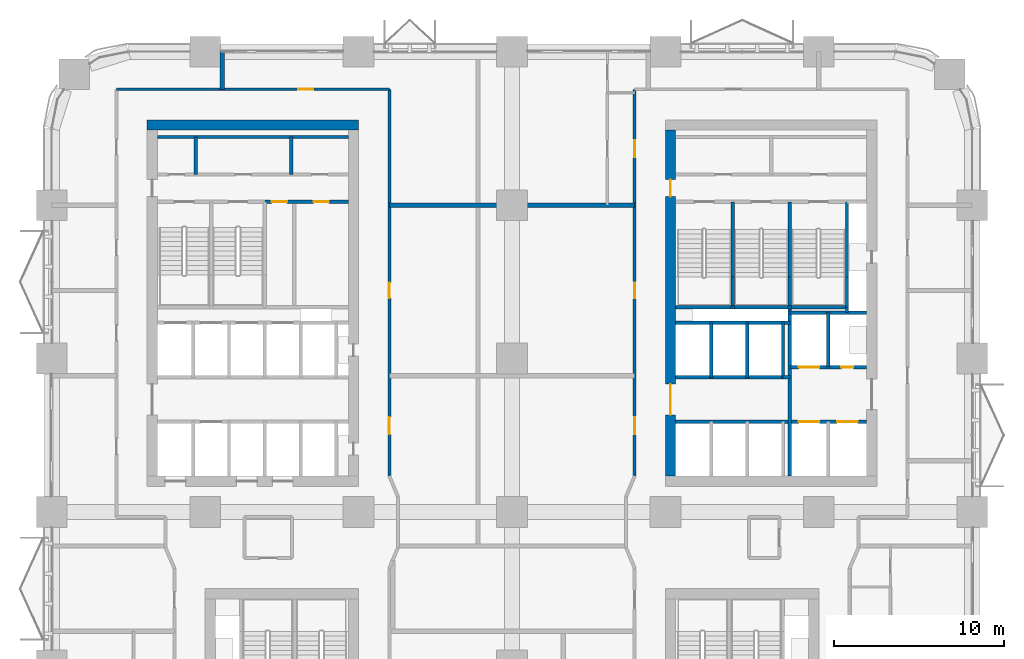
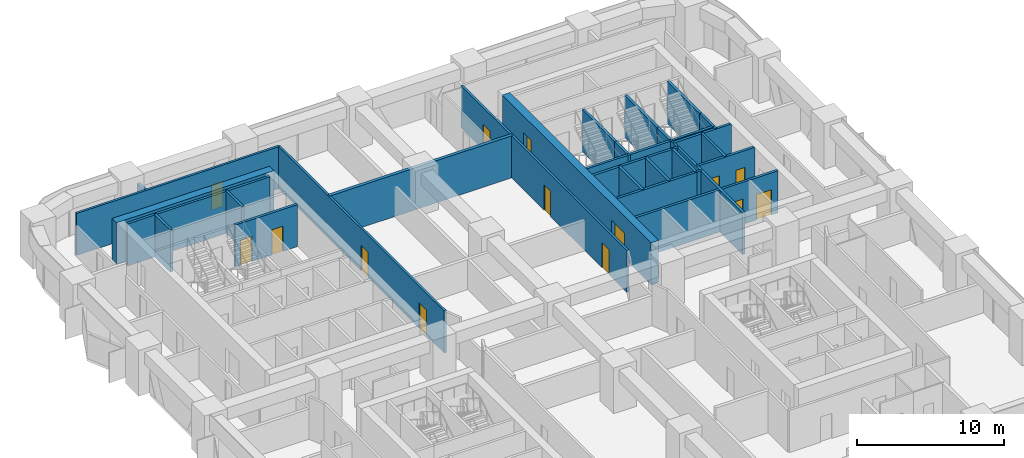
# One storey, part 16 of 21: 34 walls, 14 doors, 14 openings.
"""IFC4 building model written with IfcOpenShell, lengths in metres."""

from ifc_helpers import new_model, si_unit, direction, frame, frame_2d, origin, place, context, subcontext, project, spatial, rectangle, extrude, material, layer, layer_set, type_object, element, fill, save


model = new_model("IFC4")

# Units and contexts
model_context = context("Model", 3, precision=1e-05, world=origin(), true_north=direction((0.0, 1.0)))
body_context = subcontext(model_context, "Body", "Model", "MODEL_VIEW")
ifc_project = project(units=[si_unit("LENGTHUNIT", "METRE"), si_unit("AREAUNIT", "SQUARE_METRE"), si_unit("VOLUMEUNIT", "CUBIC_METRE"), si_unit("PLANEANGLEUNIT", "RADIAN"), si_unit("MASSUNIT", "GRAM", prefix="KILO")], contexts=[model_context])

# Site, building, storey
site_placement = place(None, origin())
site = spatial("IfcSite", under=ifc_project, at=site_placement, CompositionType="ELEMENT")
building_placement = place(site_placement, origin())
building = spatial("IfcBuilding", under=site, at=building_placement, Name="Tessera Arch", CompositionType="ELEMENT")
storey_placement = place(building_placement, frame((0.0, 0.0, 42.39990234375)))
storey = spatial("IfcBuildingStorey", under=building, at=storey_placement, Name="L08", CompositionType="ELEMENT", Elevation=42.39990234375)

# Walls
ifc_material_1 = material(Name="Gypsum board on steel stud", Category="steel")
ifc_layer_1 = layer(ifc_material_1, 0.125)
ifc_layer_set_1 = layer_set([ifc_layer_1], Name="Core partition 125 EI 60")
wall_type_1 = type_object("IfcWallType", Name="Core partition 125 EI 60", PredefinedType="PARTITIONING", material=ifc_layer_set_1)
wall_1_placement = place(storey_placement, frame((42.89990234375, 34.89990234375, 0.0), z_axis=(0.0, 0.0, 1.0), x_axis=(1.0, 0.0, 0.0)))
element("IfcWall", 1, at=wall_1_placement, inside=storey, type_object=wall_type_1, Name="L08 C1 partition wall 19", PredefinedType="PARTITIONING", context=body_context, shape_type="SweptSolid", body=[
    extrude(rectangle(XDim=0.400146484375, YDim=0.199951171875, at=frame_2d((0.2001953125, 0.0))), origin(), (0.0, 0.0, 1.0), 3.5),
])
for number, where, z_axis, x_axis, name in (
    (2, (8.43994140625, 46.800048828125, 0.0), (0.0, 0.0, 1.0), (0.0, 1.0, 0.0), "L08 C2 partition wall 3"),
    (3, (14.0400390625, 46.800048828125, 0.0), (0.0, 0.0, 1.0), (0.0, 1.0, 0.0), "L08 C2 partition wall 12"),
):
    element("IfcWall", number, at=place(storey_placement, frame(where, z_axis=z_axis, x_axis=x_axis)), inside=storey, type_object=wall_type_1, Name=name, PredefinedType="PARTITIONING", context=body_context, shape_type="SweptSolid", body=[
        extrude(rectangle(XDim=2.199951171875, YDim=0.199951171875, at=frame_2d((1.10009765625, 0.0))), origin(), (0.0, 0.0, 1.0), 3.5),
    ])

# Wall, openings, doors
wall_2_placement = place(storey_placement, frame((12.5, 45.199951171875, 0.0), z_axis=(0.0, 0.0, 1.0), x_axis=(1.0, 0.0, 0.0)))
wall_2 = element("IfcWall", 4, at=wall_2_placement, inside=storey, type_object=wall_type_1, Name="L08 C2 partition wall 25", PredefinedType="PARTITIONING", context=body_context, shape_type="SweptSolid", body=[
    extrude(rectangle(XDim=4.89990234375, YDim=0.199951171875, at=frame_2d((2.449951171875, 0.0))), origin(), (0.0, 0.0, 1.0), 3.5),
])
opening_1_placement = place(wall_2_placement, frame((0.407470703125, 0.0, 0.0)))
opening_1 = element("IfcOpeningElement", 5, at=opening_1_placement, cuts=wall_2, Name="Opening L08-C31", PredefinedType="OPENING", context=body_context, shape_type="SweptSolid", body=[
    extrude(rectangle(XDim=0.89990234375, YDim=2.10009765625, at=frame_2d((0.449951171875, 1.050048828125))), frame((0.0, 0.10986328125, 0.0), z_axis=(0.0, -1.0, 0.0), x_axis=(1.0, 0.0, 0.0)), (0.0, 0.0, 1.0), 0.219970703125),
])
opening_2_placement = place(wall_2_placement, frame((2.857421875, 0.0, 0.0)))
opening_2 = element("IfcOpeningElement", 6, at=opening_2_placement, cuts=wall_2, Name="Opening L08-C32", PredefinedType="OPENING", context=body_context, shape_type="SweptSolid", body=[
    extrude(rectangle(XDim=0.89990234375, YDim=2.10009765625, at=frame_2d((0.449951171875, 1.050048828125))), frame((0.0, 0.10986328125, 0.0), z_axis=(0.0, -1.0, 0.0), x_axis=(1.0, 0.0, 0.0)), (0.0, 0.0, 1.0), 0.219970703125),
])
ifc_material_2 = material(Name="Steel door leaf", Category="steel")
door_type_1 = type_object("IfcDoorType", Name="Store door FD30S 900 x 2100", OperationType="SINGLE_SWING_LEFT", PredefinedType="DOOR", material=ifc_material_2)
door_1_placement = place(opening_1_placement, origin())
door_1 = element("IfcDoor", 7, at=door_1_placement, inside=storey, type_object=door_type_1, Name="L08 C2 door 18 C31 type D09", OperationType="SINGLE_SWING_LEFT", OverallHeight=2.10009765625, OverallWidth=0.89990234375, PredefinedType="DOOR", context=body_context, shape_type="SweptSolid", body=[
    extrude(rectangle(XDim=0.89990234375, YDim=2.10009765625, at=frame_2d((0.449951171875, 1.050048828125))), frame((0.0, 0.02490234375, 0.0), z_axis=(0.0, -1.0, 0.0), x_axis=(1.0, 0.0, 0.0)), (0.0, 0.0, 1.0), 0.050048828125),
])
fill(opening_1, door_1)
door_2_placement = place(opening_2_placement, origin())
door_2 = element("IfcDoor", 8, at=door_2_placement, inside=storey, type_object=door_type_1, Name="L08 C2 door 19 C32 type D09", OperationType="SINGLE_SWING_RIGHT", OverallHeight=2.10009765625, OverallWidth=0.89990234375, PredefinedType="DOOR", context=body_context, shape_type="SweptSolid", body=[
    extrude(rectangle(XDim=0.89990234375, YDim=2.10009765625, at=frame_2d((0.449951171875, 1.050048828125))), frame((0.0, 0.02490234375, 0.0), z_axis=(0.0, -1.0, 0.0), x_axis=(1.0, 0.0, 0.0)), (0.0, 0.0, 1.0), 0.050048828125),
])
fill(opening_2, door_2)

# Wall
wall_3_placement = place(storey_placement, frame((6.199951171875, 49.0, 0.0), z_axis=(0.0, 0.0, 1.0), x_axis=(1.0, 0.0, 0.0)))
element("IfcWall", 9, at=wall_3_placement, inside=storey, type_object=wall_type_1, Name="L08 C2 partition wall 28", PredefinedType="PARTITIONING", context=body_context, shape_type="SweptSolid", body=[
    extrude(rectangle(XDim=11.199951171875, YDim=0.199951171875, at=frame_2d((5.60009765625, 0.0))), origin(), (0.0, 0.0, 1.0), 3.5),
])

# Wall, openings, doors
ifc_material_3 = material(Name="Concrete C70/85", Category="concrete")
ifc_layer_2 = layer(ifc_material_3, 0.60009765625)
ifc_layer_set_2 = layer_set([ifc_layer_2], Name="Core shell wall 600 C70-85")
wall_type_2 = type_object("IfcWallType", Name="Core shell wall 600 C70-85", PredefinedType="SHEAR", material=ifc_layer_set_2)
wall_4_placement = place(storey_placement, frame((36.300048828125, 29.10009765625, 0.0), z_axis=(0.0, 0.0, 1.0), x_axis=(0.0, 1.0, 0.0)))
wall_4 = element("IfcWall", 10, at=wall_4_placement, inside=storey, type_object=wall_type_2, Name="L08 C1 core wall W", PredefinedType="SHEAR", context=body_context, shape_type="SweptSolid", body=[
    extrude(rectangle(XDim=20.2998046875, YDim=0.60009765625, at=frame_2d((10.14990234375, 0.0))), origin(), (0.0, 0.0, 1.0), 3.5),
])
opening_3_placement = place(wall_4_placement, frame((3.60009765625, 0.0, 0.0)))
opening_3 = element("IfcOpeningElement", 11, at=opening_3_placement, cuts=wall_4, Name="Opening L08-C04", PredefinedType="OPENING", context=body_context, shape_type="SweptSolid", body=[
    extrude(rectangle(XDim=1.800048828125, YDim=2.10009765625, at=frame_2d((0.89990234375, 1.050048828125))), frame((0.0, 0.31005859375, 0.0), z_axis=(0.0, -1.0, 0.0), x_axis=(1.0, 0.0, 0.0)), (0.0, 0.0, 1.0), 0.6201171875),
])
opening_4_placement = place(wall_4_placement, frame((16.39990234375, 0.0, 0.0)))
opening_4 = element("IfcOpeningElement", 12, at=opening_4_placement, cuts=wall_4, Name="Opening L08-C11", PredefinedType="OPENING", context=body_context, shape_type="SweptSolid", body=[
    extrude(rectangle(XDim=1.0, YDim=2.10009765625, at=frame_2d((0.5, 1.050048828125))), frame((0.0, 0.31005859375, 0.0), z_axis=(0.0, -1.0, 0.0), x_axis=(1.0, 0.0, 0.0)), (0.0, 0.0, 1.0), 0.6201171875),
])
ifc_material_4 = material(Name="Steel door leaf", Category="steel")
door_type_2 = type_object("IfcDoorType", Name="Corridor door FD60 1000 x 2100", OperationType="SINGLE_SWING_LEFT", PredefinedType="DOOR", material=ifc_material_4)
door_3_placement = place(opening_4_placement, origin())
door_3 = element("IfcDoor", 13, at=door_3_placement, inside=storey, type_object=door_type_2, Name="L08 C1 door 11 C11 type D12", OperationType="SINGLE_SWING_RIGHT", OverallHeight=2.10009765625, OverallWidth=1.0, PredefinedType="DOOR", context=body_context, shape_type="SweptSolid", body=[
    extrude(rectangle(XDim=1.0, YDim=2.10009765625, at=frame_2d((0.5, 1.050048828125))), frame((0.0, 0.02490234375, 0.0), z_axis=(0.0, -1.0, 0.0), x_axis=(1.0, 0.0, 0.0)), (0.0, 0.0, 1.0), 0.050048828125),
])
fill(opening_4, door_3)
ifc_material_5 = material(Name="Glazed steel door leaf", Category="steel")
door_type_3 = type_object("IfcDoorType", Name="Lobby double door FD30S 1800 x 2100", OperationType="DOUBLE_DOOR_SINGLE_SWING", PredefinedType="DOOR", material=ifc_material_5)
door_4_placement = place(opening_3_placement, origin())
door_4 = element("IfcDoor", 14, at=door_4_placement, inside=storey, type_object=door_type_3, Name="L08 C1 door 4 C04 type D06", OperationType="DOUBLE_DOOR_SINGLE_SWING", OverallHeight=2.10009765625, OverallWidth=1.800048828125, PredefinedType="DOOR", context=body_context, shape_type="SweptSolid", body=[
    extrude(rectangle(XDim=1.800048828125, YDim=2.10009765625, at=frame_2d((0.89990234375, 1.050048828125))), frame((0.0, 0.02490234375, 0.0), z_axis=(0.0, -1.0, 0.0), x_axis=(1.0, 0.0, 0.0)), (0.0, 0.0, 1.0), 0.050048828125),
])
fill(opening_3, door_4)

# Wall
wall_5_placement = place(storey_placement, frame((5.60009765625, 49.699951171875, 0.0), z_axis=(0.0, 0.0, 1.0), x_axis=(1.0, 0.0, 0.0)))
element("IfcWall", 15, at=wall_5_placement, inside=storey, type_object=wall_type_2, Name="L08 C2 core wall N", PredefinedType="SHEAR", context=body_context, shape_type="SweptSolid", body=[
    extrude(rectangle(XDim=12.39990234375, YDim=0.60009765625, at=frame_2d((6.199951171875, 0.0))), origin(), (0.0, 0.0, 1.0), 3.5),
])

# Wall, opening, door
ifc_material_6 = material(Name="Gypsum board on deep steel stud with mineral wool", Category="steel")
ifc_layer_3 = layer(ifc_material_6, 0.175048828125)
ifc_layer_set_3 = layer_set([ifc_layer_3], Name="Corridor wall 175 EI 60")
wall_type_3 = type_object("IfcWallType", Name="Corridor wall 175 EI 60", PredefinedType="PARTITIONING", material=ifc_layer_set_3)
wall_6_placement = place(storey_placement, frame((3.800048828125, 51.800048828125, 0.0), z_axis=(0.0, 0.0, 1.0), x_axis=(1.0, 0.0, 0.0)))
wall_6 = element("IfcWall", 16, at=wall_6_placement, inside=storey, type_object=wall_type_3, Name="L08 partition 9", PredefinedType="PARTITIONING", context=body_context, shape_type="SweptSolid", body=[
    extrude(rectangle(XDim=16.0, YDim=0.175048828125, at=frame_2d((8.0, 0.0))), origin(), (0.0, 0.0, 1.0), 3.5),
])
opening_5_placement = place(wall_6_placement, frame((10.64990234375, 0.0, 0.0)))
opening_5 = element("IfcOpeningElement", 17, at=opening_5_placement, cuts=wall_6, Name="Opening L08-D037", PredefinedType="OPENING", context=body_context, shape_type="SweptSolid", body=[
    extrude(rectangle(XDim=0.89990234375, YDim=2.10009765625, at=frame_2d((0.449951171875, 1.050048828125))), frame((0.0, 0.097412109375, 0.0), z_axis=(0.0, -1.0, 0.0), x_axis=(1.0, 0.0, 0.0)), (0.0, 0.0, 1.0), 0.195068359375),
])
ifc_material_7 = material(Name="Timber door leaf", Category="wood")
door_type_4 = type_object("IfcDoorType", Name="Room door 900 x 2100", OperationType="SINGLE_SWING_LEFT", PredefinedType="DOOR", material=ifc_material_7)
door_5_placement = place(opening_5_placement, origin())
door_5 = element("IfcDoor", 18, at=door_5_placement, inside=storey, type_object=door_type_4, Name="L08 door D037 type D01", OperationType="SINGLE_SWING_LEFT", OverallHeight=2.10009765625, OverallWidth=0.89990234375, PredefinedType="DOOR", context=body_context, shape_type="SweptSolid", body=[
    extrude(rectangle(XDim=0.89990234375, YDim=2.10009765625, at=frame_2d((0.449951171875, 1.050048828125))), frame((0.0, 0.02490234375, 0.0), z_axis=(0.0, -1.0, 0.0), x_axis=(1.0, 0.0, 0.0)), (0.0, 0.0, 1.0), 0.050048828125),
])
fill(opening_5, door_5)

# Wall, openings, doors
wall_7_placement = place(storey_placement, frame((19.800048828125, 29.1201171875, 0.0), z_axis=(0.0, 0.0, 1.0), x_axis=(0.0, 1.0, 0.0)))
wall_7 = element("IfcWall", 19, at=wall_7_placement, inside=storey, type_object=wall_type_3, Name="L08 partition 17", PredefinedType="PARTITIONING", context=body_context, shape_type="SweptSolid", body=[
    extrude(rectangle(XDim=22.679931640625, YDim=0.175048828125, at=frame_2d((11.33984375, 0.0))), origin(), (0.0, 0.0, 1.0), 3.5),
])
opening_6_placement = place(wall_7_placement, frame((2.43994140625, 0.0, 0.0)))
opening_6 = element("IfcOpeningElement", 20, at=opening_6_placement, cuts=wall_7, Name="Opening L08-D024", PredefinedType="OPENING", context=body_context, shape_type="SweptSolid", body=[
    extrude(rectangle(XDim=1.0, YDim=2.10009765625, at=frame_2d((0.5, 1.050048828125))), frame((0.0, 0.097412109375, 0.0), z_axis=(0.0, -1.0, 0.0), x_axis=(1.0, 0.0, 0.0)), (0.0, 0.0, 1.0), 0.195068359375),
])
opening_7_placement = place(wall_7_placement, frame((10.429931640625, 0.0, 0.0)))
opening_7 = element("IfcOpeningElement", 21, at=opening_7_placement, cuts=wall_7, Name="Opening L08-D028", PredefinedType="OPENING", context=body_context, shape_type="SweptSolid", body=[
    extrude(rectangle(XDim=0.89990234375, YDim=2.10009765625, at=frame_2d((0.449951171875, 1.050048828125))), frame((0.0, 0.097412109375, 0.0), z_axis=(0.0, -1.0, 0.0), x_axis=(1.0, 0.0, 0.0)), (0.0, 0.0, 1.0), 0.195068359375),
])
ifc_material_8 = material(Name="Fire-rated door leaf")
door_type_5 = type_object("IfcDoorType", Name="Entrance door FD30S 1000 x 2100", OperationType="SINGLE_SWING_LEFT", PredefinedType="DOOR", material=ifc_material_8)
door_6_placement = place(opening_6_placement, origin())
door_6 = element("IfcDoor", 22, at=door_6_placement, inside=storey, type_object=door_type_5, Name="L08 door D024 type D03", OperationType="SINGLE_SWING_LEFT", OverallHeight=2.10009765625, OverallWidth=1.0, PredefinedType="DOOR", context=body_context, shape_type="SweptSolid", body=[
    extrude(rectangle(XDim=1.0, YDim=2.10009765625, at=frame_2d((0.5, 1.050048828125))), frame((0.0, 0.02490234375, 0.0), z_axis=(0.0, -1.0, 0.0), x_axis=(1.0, 0.0, 0.0)), (0.0, 0.0, 1.0), 0.050048828125),
])
fill(opening_6, door_6)
door_7_placement = place(opening_7_placement, origin())
door_7 = element("IfcDoor", 23, at=door_7_placement, inside=storey, type_object=door_type_4, Name="L08 door D028 type D01", OperationType="SINGLE_SWING_LEFT", OverallHeight=2.10009765625, OverallWidth=0.89990234375, PredefinedType="DOOR", context=body_context, shape_type="SweptSolid", body=[
    extrude(rectangle(XDim=0.89990234375, YDim=2.10009765625, at=frame_2d((0.449951171875, 1.050048828125))), frame((0.0, 0.02490234375, 0.0), z_axis=(0.0, -1.0, 0.0), x_axis=(1.0, 0.0, 0.0)), (0.0, 0.0, 1.0), 0.050048828125),
])
fill(opening_7, door_7)

wall_8_placement = place(storey_placement, frame((34.199951171875, 29.1201171875, 0.0), z_axis=(0.0, 0.0, 1.0), x_axis=(0.0, 1.0, 0.0)))
wall_8 = element("IfcWall", 24, at=wall_8_placement, inside=storey, type_object=wall_type_3, Name="L08 partition 21", PredefinedType="PARTITIONING", context=body_context, shape_type="SweptSolid", body=[
    extrude(rectangle(XDim=22.679931640625, YDim=0.175048828125, at=frame_2d((11.33984375, 0.0))), origin(), (0.0, 0.0, 1.0), 3.5),
])
opening_8_placement = place(wall_8_placement, frame((2.43994140625, 0.0, 0.0)))
opening_8 = element("IfcOpeningElement", 25, at=opening_8_placement, cuts=wall_8, Name="Opening L08-D025", PredefinedType="OPENING", context=body_context, shape_type="SweptSolid", body=[
    extrude(rectangle(XDim=1.0, YDim=2.10009765625, at=frame_2d((0.5, 1.050048828125))), frame((0.0, 0.097412109375, 0.0), z_axis=(0.0, -1.0, 0.0), x_axis=(1.0, 0.0, 0.0)), (0.0, 0.0, 1.0), 0.195068359375),
])
opening_9_placement = place(wall_8_placement, frame((10.429931640625, 0.0, 0.0)))
opening_9 = element("IfcOpeningElement", 26, at=opening_9_placement, cuts=wall_8, Name="Opening L08-D029", PredefinedType="OPENING", context=body_context, shape_type="SweptSolid", body=[
    extrude(rectangle(XDim=0.89990234375, YDim=2.10009765625, at=frame_2d((0.449951171875, 1.050048828125))), frame((0.0, 0.097412109375, 0.0), z_axis=(0.0, -1.0, 0.0), x_axis=(1.0, 0.0, 0.0)), (0.0, 0.0, 1.0), 0.195068359375),
])
opening_10_placement = place(wall_8_placement, frame((18.679931640625, 0.0, 0.0)))
opening_10 = element("IfcOpeningElement", 27, at=opening_10_placement, cuts=wall_8, Name="Opening L08-D032", PredefinedType="OPENING", context=body_context, shape_type="SweptSolid", body=[
    extrude(rectangle(XDim=1.0, YDim=2.10009765625, at=frame_2d((0.5, 1.050048828125))), frame((0.0, 0.097412109375, 0.0), z_axis=(0.0, -1.0, 0.0), x_axis=(1.0, 0.0, 0.0)), (0.0, 0.0, 1.0), 0.195068359375),
])
door_8_placement = place(opening_8_placement, origin())
door_8 = element("IfcDoor", 28, at=door_8_placement, inside=storey, type_object=door_type_5, Name="L08 door D025 type D03", OperationType="SINGLE_SWING_LEFT", OverallHeight=2.10009765625, OverallWidth=1.0, PredefinedType="DOOR", context=body_context, shape_type="SweptSolid", body=[
    extrude(rectangle(XDim=1.0, YDim=2.10009765625, at=frame_2d((0.5, 1.050048828125))), frame((0.0, 0.02490234375, 0.0), z_axis=(0.0, -1.0, 0.0), x_axis=(1.0, 0.0, 0.0)), (0.0, 0.0, 1.0), 0.050048828125),
])
fill(opening_8, door_8)
door_9_placement = place(opening_10_placement, origin())
door_9 = element("IfcDoor", 29, at=door_9_placement, inside=storey, type_object=door_type_5, Name="L08 door D032 type D03", OperationType="SINGLE_SWING_RIGHT", OverallHeight=2.10009765625, OverallWidth=1.0, PredefinedType="DOOR", context=body_context, shape_type="SweptSolid", body=[
    extrude(rectangle(XDim=1.0, YDim=2.10009765625, at=frame_2d((0.5, 1.050048828125))), frame((0.0, 0.02490234375, 0.0), z_axis=(0.0, -1.0, 0.0), x_axis=(1.0, 0.0, 0.0)), (0.0, 0.0, 1.0), 0.050048828125),
])
fill(opening_10, door_9)
door_10_placement = place(opening_9_placement, origin())
door_10 = element("IfcDoor", 30, at=door_10_placement, inside=storey, type_object=door_type_4, Name="L08 door D029 type D01", OperationType="SINGLE_SWING_LEFT", OverallHeight=2.10009765625, OverallWidth=0.89990234375, PredefinedType="DOOR", context=body_context, shape_type="SweptSolid", body=[
    extrude(rectangle(XDim=0.89990234375, YDim=2.10009765625, at=frame_2d((0.449951171875, 1.050048828125))), frame((0.0, 0.02490234375, 0.0), z_axis=(0.0, -1.0, 0.0), x_axis=(1.0, 0.0, 0.0)), (0.0, 0.0, 1.0), 0.050048828125),
])
fill(opening_9, door_10)

# Walls
ifc_material_9 = material(Name="Double gypsum board on twin steel stud with acoustic mineral wool", Category="steel")
ifc_layer_4 = layer(ifc_material_9, 0.25)
ifc_layer_set_4 = layer_set([ifc_layer_4], Name="Party wall 250 EI 60")
wall_type_4 = type_object("IfcWallType", Name="Party wall 250 EI 60", PredefinedType="PARTITIONING", material=ifc_layer_set_4)
wall_9_placement = place(storey_placement, frame((19.800048828125, 45.0, 0.0), z_axis=(0.0, 0.0, 1.0), x_axis=(1.0, 0.0, 0.0)))
element("IfcWall", 31, at=wall_9_placement, inside=storey, type_object=wall_type_4, Name="L08 partition 46", PredefinedType="PARTITIONING", context=body_context, shape_type="SweptSolid", body=[
    extrude(rectangle(XDim=14.39990234375, YDim=0.25, at=frame_2d((7.199951171875, 0.0))), origin(), (0.0, 0.0, 1.0), 3.5),
])
wall_10_placement = place(storey_placement, frame((10.0, 51.800048828125, 0.0), z_axis=(0.0, 0.0, 1.0), x_axis=(0.0, 1.0, 0.0)))
element("IfcWall", 32, at=wall_10_placement, inside=storey, type_object=wall_type_4, Name="L08 partition 49", PredefinedType="PARTITIONING", context=body_context, shape_type="SweptSolid", body=[
    extrude(rectangle(XDim=2.199951171875, YDim=0.25, at=frame_2d((1.10009765625, 0.0))), origin(), (0.0, 0.0, 1.0), 2.5),
])
ifc_material_10 = material(Name="Concrete C40/50", Category="concrete")
ifc_layer_5 = layer(ifc_material_10, 0.199951171875)
ifc_layer_set_5 = layer_set([ifc_layer_5], Name="Shaft wall 200 EI 120")
wall_type_5 = type_object("IfcWallType", Name="Shaft wall 200 EI 120", PredefinedType="SOLIDWALL", material=ifc_layer_set_5)
for number, where, z_axis, x_axis, name in (
    (33, (38.699951171875, 34.89990234375, 0.0), (0.0, 0.0, 1.0), (0.0, 1.0, 0.0), "L08 C1 shaft wall 2"),
    (34, (40.800048828125, 34.89990234375, 0.0), (0.0, 0.0, 1.0), (0.0, 1.0, 0.0), "L08 C1 shaft wall 6"),
    (35, (42.89990234375, 34.89990234375, 0.0), (0.0, 0.0, 1.0), (0.0, 1.0, 0.0), "L08 C1 shaft wall 9"),
):
    element("IfcWall", number, at=place(storey_placement, frame(where, z_axis=z_axis, x_axis=x_axis)), inside=storey, type_object=wall_type_5, Name=name, PredefinedType="SOLIDWALL", context=body_context, shape_type="SweptSolid", body=[
        extrude(rectangle(XDim=3.2001953125, YDim=0.199951171875, at=frame_2d((1.60009765625, 0.0))), origin(), (0.0, 0.0, 1.0), 3.5),
    ])
wall_11_placement = place(storey_placement, frame((43.300048828125, 29.10009765625, 0.0), z_axis=(0.0, 0.0, 1.0), x_axis=(0.0, 1.0, 0.0)))
element("IfcWall", 36, at=wall_11_placement, inside=storey, type_object=wall_type_5, Name="L08 C1 shaft wall 10", PredefinedType="SOLIDWALL", context=body_context, shape_type="SweptSolid", body=[
    extrude(rectangle(XDim=9.89990234375, YDim=0.199951171875, at=frame_2d((4.949951171875, 0.0))), origin(), (0.0, 0.0, 1.0), 3.5),
])
wall_12_placement = place(storey_placement, frame((45.550048828125, 35.5, 0.0), z_axis=(0.0, 0.0, 1.0), x_axis=(0.0, 1.0, 0.0)))
element("IfcWall", 37, at=wall_12_placement, inside=storey, type_object=wall_type_5, Name="L08 C1 shaft wall 14", PredefinedType="SOLIDWALL", context=body_context, shape_type="SweptSolid", body=[
    extrude(rectangle(XDim=3.199951171875, YDim=0.199951171875, at=frame_2d((1.60009765625, 0.0))), origin(), (0.0, 0.0, 1.0), 3.5),
])
wall_13_placement = place(storey_placement, frame((46.64990234375, 38.699951171875, 0.0), z_axis=(0.0, 0.0, 1.0), x_axis=(0.0, 1.0, 0.0)))
element("IfcWall", 38, at=wall_13_placement, inside=storey, type_object=wall_type_5, Name="L08 C1 shaft wall 15", PredefinedType="SOLIDWALL", context=body_context, shape_type="SweptSolid", body=[
    extrude(rectangle(XDim=0.300048828125, YDim=0.199951171875, at=frame_2d((0.14990234375, 0.0))), origin(), (0.0, 0.0, 1.0), 3.5),
])

# Wall, openings, doors
wall_14_placement = place(storey_placement, frame((36.60009765625, 32.300048828125, 0.0), z_axis=(0.0, 0.0, 1.0), x_axis=(1.0, 0.0, 0.0)))
wall_14 = element("IfcWall", 39, at=wall_14_placement, inside=storey, type_object=wall_type_5, Name="L08 C1 shaft wall 18", PredefinedType="SOLIDWALL", context=body_context, shape_type="SweptSolid", body=[
    extrude(rectangle(XDim=11.199951171875, YDim=0.199951171875, at=frame_2d((5.60009765625, 0.0))), origin(), (0.0, 0.0, 1.0), 3.5),
])
opening_11_placement = place(wall_14_placement, frame((7.22509765625, 0.0, 0.0)))
opening_11 = element("IfcOpeningElement", 40, at=opening_11_placement, cuts=wall_14, Name="Opening L08-C01", PredefinedType="OPENING", context=body_context, shape_type="SweptSolid", body=[
    extrude(rectangle(XDim=1.199951171875, YDim=2.10009765625, at=frame_2d((0.60009765625, 1.050048828125))), frame((0.0, 0.10986328125, 0.0), z_axis=(0.0, -1.0, 0.0), x_axis=(1.0, 0.0, 0.0)), (0.0, 0.0, 1.0), 0.219970703125),
])
opening_12_placement = place(wall_14_placement, frame((9.47509765625, 0.0, 0.0)))
opening_12 = element("IfcOpeningElement", 41, at=opening_12_placement, cuts=wall_14, Name="Opening L08-C02", PredefinedType="OPENING", context=body_context, shape_type="SweptSolid", body=[
    extrude(rectangle(XDim=1.199951171875, YDim=2.10009765625, at=frame_2d((0.60009765625, 1.050048828125))), frame((0.0, 0.10986328125, 0.0), z_axis=(0.0, -1.0, 0.0), x_axis=(1.0, 0.0, 0.0)), (0.0, 0.0, 1.0), 0.219970703125),
])
ifc_material_11 = material(Name="Stainless steel AISI 304", Category="steel")
door_type_6 = type_object("IfcDoorType", Name="Sliding landing door 1200 x 2100", OperationType="SLIDING_TO_LEFT", PredefinedType="DOOR", material=ifc_material_11)
door_11_placement = place(opening_11_placement, origin())
door_11 = element("IfcDoor", 42, at=door_11_placement, inside=storey, type_object=door_type_6, Name="L08 FF1 lift landing door C01 type LD", OperationType="SLIDING_TO_LEFT", OverallHeight=2.10009765625, OverallWidth=1.199951171875, PredefinedType="DOOR", context=body_context, shape_type="SweptSolid", body=[
    extrude(rectangle(XDim=1.199951171875, YDim=2.10009765625, at=frame_2d((0.60009765625, 1.050048828125))), frame((0.0, 0.02490234375, 0.0), z_axis=(0.0, -1.0, 0.0), x_axis=(1.0, 0.0, 0.0)), (0.0, 0.0, 1.0), 0.050048828125),
])
fill(opening_11, door_11)
door_12_placement = place(opening_12_placement, origin())
door_12 = element("IfcDoor", 43, at=door_12_placement, inside=storey, type_object=door_type_6, Name="L08 FF2 lift landing door C02 type LD", OperationType="SLIDING_TO_LEFT", OverallHeight=2.10009765625, OverallWidth=1.199951171875, PredefinedType="DOOR", context=body_context, shape_type="SweptSolid", body=[
    extrude(rectangle(XDim=1.199951171875, YDim=2.10009765625, at=frame_2d((0.60009765625, 1.050048828125))), frame((0.0, 0.02490234375, 0.0), z_axis=(0.0, -1.0, 0.0), x_axis=(1.0, 0.0, 0.0)), (0.0, 0.0, 1.0), 0.050048828125),
])
fill(opening_12, door_12)

# Wall
wall_15_placement = place(storey_placement, frame((36.60009765625, 34.89990234375, 0.0), z_axis=(0.0, 0.0, 1.0), x_axis=(1.0, 0.0, 0.0)))
element("IfcWall", 44, at=wall_15_placement, inside=storey, type_object=wall_type_5, Name="L08 C1 shaft wall 20", PredefinedType="SOLIDWALL", context=body_context, shape_type="SweptSolid", body=[
    extrude(rectangle(XDim=6.2998046875, YDim=0.199951171875, at=frame_2d((3.14990234375, 0.0))), origin(), (0.0, 0.0, 1.0), 3.5),
])

# Wall, openings, doors
wall_16_placement = place(storey_placement, frame((43.300048828125, 35.5, 0.0), z_axis=(0.0, 0.0, 1.0), x_axis=(1.0, 0.0, 0.0)))
wall_16 = element("IfcWall", 45, at=wall_16_placement, inside=storey, type_object=wall_type_5, Name="L08 C1 shaft wall 21", PredefinedType="SOLIDWALL", context=body_context, shape_type="SweptSolid", body=[
    extrude(rectangle(XDim=4.5, YDim=0.199951171875, at=frame_2d((2.25, 0.0))), origin(), (0.0, 0.0, 1.0), 3.5),
])
opening_13_placement = place(wall_16_placement, frame((0.52490234375, 0.0, 0.0)))
opening_13 = element("IfcOpeningElement", 46, at=opening_13_placement, cuts=wall_16, Name="Opening L08-C03", PredefinedType="OPENING", context=body_context, shape_type="SweptSolid", body=[
    extrude(rectangle(XDim=1.199951171875, YDim=2.10009765625, at=frame_2d((0.60009765625, 1.050048828125))), frame((0.0, 0.10986328125, 0.0), z_axis=(0.0, -1.0, 0.0), x_axis=(1.0, 0.0, 0.0)), (0.0, 0.0, 1.0), 0.219970703125),
])
opening_14_placement = place(wall_16_placement, frame((3.02490234375, 0.0, 0.0)))
opening_14 = element("IfcOpeningElement", 47, at=opening_14_placement, cuts=wall_16, Name="Opening L08-C10", PredefinedType="OPENING", context=body_context, shape_type="SweptSolid", body=[
    extrude(rectangle(XDim=0.699951171875, YDim=2.10009765625, at=frame_2d((0.35009765625, 1.050048828125))), frame((0.0, 0.10986328125, 0.0), z_axis=(0.0, -1.0, 0.0), x_axis=(1.0, 0.0, 0.0)), (0.0, 0.0, 1.0), 0.219970703125),
])
ifc_material_12 = material(Name="Steel door leaf", Category="steel")
door_type_7 = type_object("IfcDoorType", Name="Service shaft door FD60 700 x 2100", OperationType="SINGLE_SWING_LEFT", PredefinedType="DOOR", material=ifc_material_12)
door_13_placement = place(opening_14_placement, origin())
door_13 = element("IfcDoor", 48, at=door_13_placement, inside=storey, type_object=door_type_7, Name="L08 C1 door 10 C10 type D07", OperationType="SINGLE_SWING_RIGHT", OverallHeight=2.10009765625, OverallWidth=0.699951171875, PredefinedType="DOOR", context=body_context, shape_type="SweptSolid", body=[
    extrude(rectangle(XDim=0.699951171875, YDim=2.10009765625, at=frame_2d((0.35009765625, 1.050048828125))), frame((0.0, 0.02490234375, 0.0), z_axis=(0.0, -1.0, 0.0), x_axis=(1.0, 0.0, 0.0)), (0.0, 0.0, 1.0), 0.050048828125),
])
fill(opening_14, door_13)
door_14_placement = place(opening_13_placement, origin())
door_14 = element("IfcDoor", 49, at=door_14_placement, inside=storey, type_object=door_type_6, Name="L08 SV2 lift landing door C03 type LD", OperationType="SLIDING_TO_LEFT", OverallHeight=2.10009765625, OverallWidth=1.199951171875, PredefinedType="DOOR", context=body_context, shape_type="SweptSolid", body=[
    extrude(rectangle(XDim=1.199951171875, YDim=2.10009765625, at=frame_2d((0.60009765625, 1.050048828125))), frame((0.0, 0.02490234375, 0.0), z_axis=(0.0, -1.0, 0.0), x_axis=(1.0, 0.0, 0.0)), (0.0, 0.0, 1.0), 0.050048828125),
])
fill(opening_13, door_14)

# Walls
wall_17_placement = place(storey_placement, frame((36.60009765625, 38.10009765625, 0.0), z_axis=(0.0, 0.0, 1.0), x_axis=(1.0, 0.0, 0.0)))
element("IfcWall", 50, at=wall_17_placement, inside=storey, type_object=wall_type_5, Name="L08 C1 shaft wall 22", PredefinedType="SOLIDWALL", context=body_context, shape_type="SweptSolid", body=[
    extrude(rectangle(XDim=6.699951171875, YDim=0.199951171875, at=frame_2d((3.35009765625, 0.0))), origin(), (0.0, 0.0, 1.0), 3.5),
])
wall_18_placement = place(storey_placement, frame((43.300048828125, 38.699951171875, 0.0), z_axis=(0.0, 0.0, 1.0), x_axis=(1.0, 0.0, 0.0)))
element("IfcWall", 51, at=wall_18_placement, inside=storey, type_object=wall_type_5, Name="L08 C1 shaft wall 23", PredefinedType="SOLIDWALL", context=body_context, shape_type="SweptSolid", body=[
    extrude(rectangle(XDim=4.5, YDim=0.199951171875, at=frame_2d((2.25, 0.0))), origin(), (0.0, 0.0, 1.0), 3.5),
])
ifc_material_13 = material(Name="Concrete C40/50", Category="concrete")
ifc_layer_6 = layer(ifc_material_13, 0.199951171875)
ifc_layer_set_6 = layer_set([ifc_layer_6], Name="Stair well wall 200 REI 180")
wall_type_6 = type_object("IfcWallType", Name="Stair well wall 200 REI 180", PredefinedType="SOLIDWALL", material=ifc_layer_set_6)
wall_19_placement = place(storey_placement, frame((39.949951171875, 39.0, 0.0), z_axis=(0.0, 0.0, 1.0), x_axis=(0.0, 1.0, 0.0)))
element("IfcWall", 52, at=wall_19_placement, inside=storey, type_object=wall_type_6, Name="L08 C1 shaft wall 3", PredefinedType="SOLIDWALL", context=body_context, shape_type="SweptSolid", body=[
    extrude(rectangle(XDim=1.780029296875, YDim=0.199951171875, at=frame_2d((0.89013671875, 0.0))), origin(), (0.0, 0.0, 1.0), 3.5),
])
wall_20_placement = place(storey_placement, frame((39.949951171875, 40.780029296875, 0.0), z_axis=(0.0, 0.0, 1.0), x_axis=(0.0, 1.0, 0.0)))
element("IfcWall", 53, at=wall_20_placement, inside=storey, type_object=wall_type_6, Name="L08 C1 shaft wall 4", PredefinedType="SOLIDWALL", context=body_context, shape_type="SweptSolid", body=[
    extrude(rectangle(XDim=4.419921875, YDim=0.199951171875, at=frame_2d((2.2099609375, 0.0))), origin(), (0.0, 0.0, 1.0), 3.5),
])
wall_21_placement = place(storey_placement, frame((43.300048828125, 39.0, 0.0), z_axis=(0.0, 0.0, 1.0), x_axis=(0.0, 1.0, 0.0)))
element("IfcWall", 54, at=wall_21_placement, inside=storey, type_object=wall_type_6, Name="L08 C1 shaft wall 11", PredefinedType="SOLIDWALL", context=body_context, shape_type="SweptSolid", body=[
    extrude(rectangle(XDim=1.780029296875, YDim=0.199951171875, at=frame_2d((0.89013671875, 0.0))), origin(), (0.0, 0.0, 1.0), 3.5),
])
wall_22_placement = place(storey_placement, frame((43.300048828125, 40.780029296875, 0.0), z_axis=(0.0, 0.0, 1.0), x_axis=(0.0, 1.0, 0.0)))
element("IfcWall", 55, at=wall_22_placement, inside=storey, type_object=wall_type_6, Name="L08 C1 shaft wall 12", PredefinedType="SOLIDWALL", context=body_context, shape_type="SweptSolid", body=[
    extrude(rectangle(XDim=4.419921875, YDim=0.199951171875, at=frame_2d((2.2099609375, 0.0))), origin(), (0.0, 0.0, 1.0), 3.5),
])
wall_23_placement = place(storey_placement, frame((46.64990234375, 39.0, 0.0), z_axis=(0.0, 0.0, 1.0), x_axis=(0.0, 1.0, 0.0)))
element("IfcWall", 56, at=wall_23_placement, inside=storey, type_object=wall_type_6, Name="L08 C1 shaft wall 16", PredefinedType="SOLIDWALL", context=body_context, shape_type="SweptSolid", body=[
    extrude(rectangle(XDim=1.780029296875, YDim=0.199951171875, at=frame_2d((0.89013671875, 0.0))), origin(), (0.0, 0.0, 1.0), 3.5),
])
wall_24_placement = place(storey_placement, frame((46.64990234375, 40.780029296875, 0.0), z_axis=(0.0, 0.0, 1.0), x_axis=(0.0, 1.0, 0.0)))
element("IfcWall", 57, at=wall_24_placement, inside=storey, type_object=wall_type_6, Name="L08 C1 shaft wall 17", PredefinedType="SOLIDWALL", context=body_context, shape_type="SweptSolid", body=[
    extrude(rectangle(XDim=4.419921875, YDim=0.199951171875, at=frame_2d((2.2099609375, 0.0))), origin(), (0.0, 0.0, 1.0), 3.5),
])
wall_25_placement = place(storey_placement, frame((36.60009765625, 39.0, 0.0), z_axis=(0.0, 0.0, 1.0), x_axis=(1.0, 0.0, 0.0)))
element("IfcWall", 58, at=wall_25_placement, inside=storey, type_object=wall_type_6, Name="L08 C1 shaft wall 24", PredefinedType="SOLIDWALL", context=body_context, shape_type="SweptSolid", body=[
    extrude(rectangle(XDim=3.25, YDim=0.199951171875, at=frame_2d((1.625, 0.0))), origin(), (0.0, 0.0, 1.0), 3.5),
])
wall_26_placement = place(storey_placement, frame((39.85009765625, 39.0, 0.0), z_axis=(0.0, 0.0, 1.0), x_axis=(1.0, 0.0, 0.0)))
element("IfcWall", 59, at=wall_26_placement, inside=storey, type_object=wall_type_6, Name="L08 C1 shaft wall 25", PredefinedType="SOLIDWALL", context=body_context, shape_type="SweptSolid", body=[
    extrude(rectangle(XDim=0.199951171875, YDim=0.199951171875, at=frame_2d((0.10009765625, 0.0))), origin(), (0.0, 0.0, 1.0), 3.5),
])
wall_27_placement = place(storey_placement, frame((40.050048828125, 39.0, 0.0), z_axis=(0.0, 0.0, 1.0), x_axis=(1.0, 0.0, 0.0)))
element("IfcWall", 60, at=wall_27_placement, inside=storey, type_object=wall_type_6, Name="L08 C1 shaft wall 26", PredefinedType="SOLIDWALL", context=body_context, shape_type="SweptSolid", body=[
    extrude(rectangle(XDim=3.14990234375, YDim=0.199951171875, at=frame_2d((1.574951171875, 0.0))), origin(), (0.0, 0.0, 1.0), 3.5),
])
wall_28_placement = place(storey_placement, frame((43.199951171875, 39.0, 0.0), z_axis=(0.0, 0.0, 1.0), x_axis=(1.0, 0.0, 0.0)))
element("IfcWall", 61, at=wall_28_placement, inside=storey, type_object=wall_type_6, Name="L08 C1 shaft wall 27", PredefinedType="SOLIDWALL", context=body_context, shape_type="SweptSolid", body=[
    extrude(rectangle(XDim=0.199951171875, YDim=0.199951171875, at=frame_2d((0.10009765625, 0.0))), origin(), (0.0, 0.0, 1.0), 3.5),
])
wall_29_placement = place(storey_placement, frame((43.39990234375, 39.0, 0.0), z_axis=(0.0, 0.0, 1.0), x_axis=(1.0, 0.0, 0.0)))
element("IfcWall", 62, at=wall_29_placement, inside=storey, type_object=wall_type_6, Name="L08 C1 shaft wall 28", PredefinedType="SOLIDWALL", context=body_context, shape_type="SweptSolid", body=[
    extrude(rectangle(XDim=3.25, YDim=0.199951171875, at=frame_2d((1.625, 0.0))), origin(), (0.0, 0.0, 1.0), 3.5),
])

save(model, "model.ifc")
